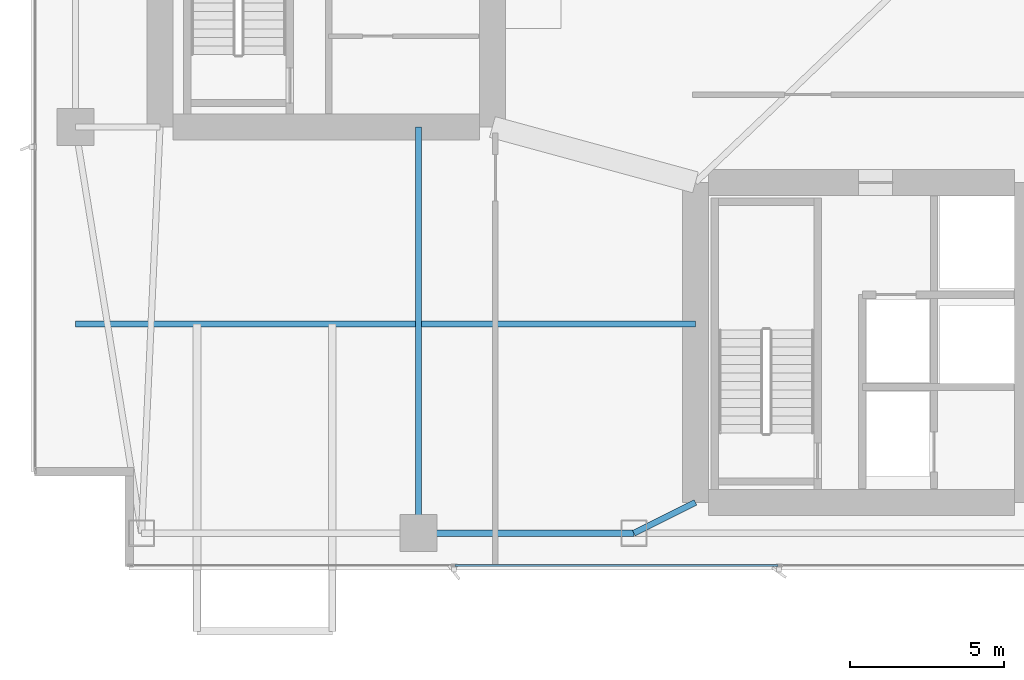
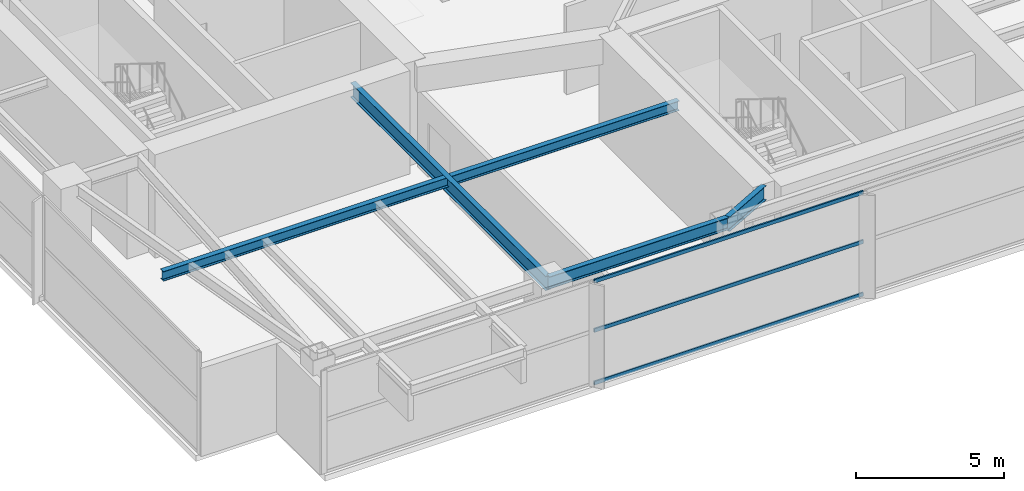
# One storey, part 4 of 26: 4 beams, 3 members, 1 element without a shape of its own.
"""IFC4 building model written with IfcOpenShell, lengths in metres."""

from ifc_helpers import new_model, si_unit, direction, frame, origin, origin_2d, place, context, subcontext, project, spatial, hollow_rectangle, i_section, extrude, material, layer, layer_set, material_profile, profile_set, type_object, element, aggregate, save


model = new_model("IFC4")

# Units and contexts
model_context = context("Model", 3, precision=1e-05, world=origin(), true_north=direction((0.0, 1.0)))
body_context = subcontext(model_context, "Body", "Model", "MODEL_VIEW")
ifc_project = project(units=[si_unit("LENGTHUNIT", "METRE"), si_unit("AREAUNIT", "SQUARE_METRE"), si_unit("VOLUMEUNIT", "CUBIC_METRE"), si_unit("PLANEANGLEUNIT", "RADIAN"), si_unit("MASSUNIT", "GRAM", prefix="KILO")], contexts=[model_context])

# Site, building, storey
site_placement = place(None, origin())
site = spatial("IfcSite", under=ifc_project, at=site_placement, CompositionType="ELEMENT")
building_placement = place(site_placement, origin())
building = spatial("IfcBuilding", under=site, at=building_placement, Name="Calvorn Quay Hotel", CompositionType="ELEMENT")
storey_placement = place(building_placement, frame((0.0, 0.0, 144.0)))
storey = spatial("IfcBuildingStorey", under=building, at=storey_placement, Name="L35", CompositionType="ELEMENT", Elevation=144.0)

# Beams
ifc_material_1 = material(Name="Steel Q355B", Category="steel")
ifc_material_profile_1 = material_profile(ifc_material_1, i_section(OverallWidth=0.199951171875, OverallDepth=0.60009765625, WebThickness=0.010986328125, FlangeThickness=0.01708984375, FilletRadius=0.01806640625, at=origin_2d()), Name="HN600x200x11x17")
ifc_profile_set_1 = profile_set([ifc_material_profile_1], Name="Steel Q355B")
beam_type_1 = type_object("IfcBeamType", Name="BM-GIRD-TYP", PredefinedType="BEAM", material=ifc_profile_set_1)
beam_1_placement = place(storey_placement, frame((12.60009765625, 3.60009765625, 3.93994140625), z_axis=(0.0, 1.0, 0.0), x_axis=(-1.0, 0.0, 0.0)))
element("IfcBeam", 1, at=beam_1_placement, inside=storey, type_object=beam_type_1, Name="Beam BG-L35-S1", PredefinedType="BEAM", context=body_context, shape_type="SweptSolid", body=[
    extrude(i_section(OverallWidth=0.199951171875, OverallDepth=0.60009765625, WebThickness=0.010986328125, FlangeThickness=0.01708984375, FilletRadius=0.01806640625, at=origin_2d()), origin(), (0.0, 0.0, 1.0), 13.199951171875),
])
beam_2_placement = place(storey_placement, frame((19.60009765625, 3.60009765625, 3.93994140625), z_axis=(0.894427191, 0.4472135955, 0.0), x_axis=(-0.4472135955, 0.894427191, 0.0)))
element("IfcBeam", 2, at=beam_2_placement, inside=storey, type_object=beam_type_1, Name="Beam BG-L35-S2", PredefinedType="BEAM", context=body_context, shape_type="SweptSolid", body=[
    extrude(i_section(OverallWidth=0.199951171875, OverallDepth=0.60009765625, WebThickness=0.010986328125, FlangeThickness=0.01708984375, FilletRadius=0.01806640625, at=origin_2d()), origin(), (0.0, 0.0, 1.0), 2.236083984375),
])
ifc_material_2 = material(Name="Steel Q355B", Category="steel")
ifc_material_profile_2 = material_profile(ifc_material_2, i_section(OverallWidth=0.199951171875, OverallDepth=0.39990234375, WebThickness=0.008056640625, FlangeThickness=0.012939453125, FilletRadius=0.01611328125, at=origin_2d()), Name="HN400x200x8x13")
ifc_profile_set_2 = profile_set([ifc_material_profile_2], Name="Steel Q355B")
beam_type_2 = type_object("IfcBeamType", Name="BM-JOIST-TYP", PredefinedType="JOIST", material=ifc_profile_set_2)
beam_3_placement = place(storey_placement, frame((1.449951171875, 10.39990234375, 4.0400390625), z_axis=(1.0, 0.0, 0.0), x_axis=(0.0, 1.0, 0.0)))
element("IfcBeam", 3, at=beam_3_placement, inside=storey, type_object=beam_type_2, Name="Beam BJ-L35-W1", PredefinedType="JOIST", context=body_context, shape_type="SweptSolid", body=[
    extrude(i_section(OverallWidth=0.199951171875, OverallDepth=0.39990234375, WebThickness=0.008056640625, FlangeThickness=0.012939453125, FilletRadius=0.01611328125, at=origin_2d()), origin(), (0.0, 0.0, 1.0), 20.150146484375),
])
ifc_material_3 = material(Name="Steel Q355B", Category="steel")
ifc_material_profile_3 = material_profile(ifc_material_3, i_section(OverallWidth=0.199951171875, OverallDepth=0.5, WebThickness=0.010009765625, FlangeThickness=0.01611328125, FilletRadius=0.01611328125, at=origin_2d()), Name="HN500x200x10x16")
ifc_profile_set_3 = profile_set([ifc_material_profile_3], Name="Steel Q355B")
beam_type_3 = type_object("IfcBeamType", Name="BM-SPANDREL-Z1", PredefinedType="SPANDREL", material=ifc_profile_set_3)
beam_4_placement = place(storey_placement, frame((12.60009765625, 3.60009765625, 3.989990234375), z_axis=(1.0, 0.0, 0.0), x_axis=(0.0, 1.0, 0.0)))
element("IfcBeam", 4, at=beam_4_placement, inside=storey, type_object=beam_type_3, Name="Beam BSP-L35-S2", PredefinedType="SPANDREL", context=body_context, shape_type="SweptSolid", body=[
    extrude(i_section(OverallWidth=0.199951171875, OverallDepth=0.5, WebThickness=0.010009765625, FlangeThickness=0.01611328125, FilletRadius=0.01611328125, at=origin_2d()), origin(), (0.0, 0.0, 1.0), 7.0),
])

# Curtain wall, members
ifc_material_4 = material(Name="Pale Anodised Aluminium and Low-E Glass", Category="aluminium")
ifc_layer = layer(ifc_material_4, 0.219970703125)
ifc_layer_set = layer_set([ifc_layer], Name="CW-SYS-Z2")
curtain_wall_type = type_object("IfcCurtainWallType", Name="CW-SYS-Z2", PredefinedType="NOTDEFINED", material=ifc_layer_set)
curtain_wall_placement = place(storey_placement, origin())
curtain_wall = element("IfcCurtainWall", 5, at=curtain_wall_placement, inside=storey, type_object=curtain_wall_type, Name="Tower South Waterfront Curtain Wall (L35)", PredefinedType="NOTDEFINED")
ifc_material_5 = material(Name="Pale Anodised Aluminium 6063-T6", Category="aluminium")
ifc_material_profile_4 = material_profile(ifc_material_5, hollow_rectangle(XDim=0.06005859375, YDim=0.14990234375, WallThickness=0.00341796875, at=origin_2d()), Name="ALU-T150x60x3.5")
ifc_profile_set_4 = profile_set([ifc_material_profile_4], Name="Pale Anodised Aluminium 6063-T6")
member_type = type_object("IfcMemberType", Name="CW-SYS-Z2-TRN", PredefinedType="USERDEFINED", material=ifc_profile_set_4)
member_1_placement = place(storey_placement, frame((13.7900390625, 2.550048828125, 0.030029296875), z_axis=(1.0, 0.0, 0.0), x_axis=(0.0, 1.0, 0.0)))
member_1 = element("IfcMember", 6, at=member_1_placement, type_object=member_type, Name="CW-L35-S transom 2.1", ObjectType="TRANSOM", PredefinedType="USERDEFINED", context=body_context, shape_type="SweptSolid", body=[
    extrude(hollow_rectangle(XDim=0.06005859375, YDim=0.14990234375, WallThickness=0.00341796875, at=origin_2d()), origin(), (0.0, 0.0, 1.0), 10.5),
])
member_2_placement = place(storey_placement, frame((13.7900390625, 2.550048828125, 2.199951171875), z_axis=(1.0, 0.0, 0.0), x_axis=(0.0, 1.0, 0.0)))
member_2 = element("IfcMember", 7, at=member_2_placement, type_object=member_type, Name="CW-L35-S transom 2.2", ObjectType="TRANSOM", PredefinedType="USERDEFINED", context=body_context, shape_type="SweptSolid", body=[
    extrude(hollow_rectangle(XDim=0.06005859375, YDim=0.14990234375, WallThickness=0.00341796875, at=origin_2d()), origin(), (0.0, 0.0, 1.0), 10.5),
])
member_3_placement = place(storey_placement, frame((13.7900390625, 2.550048828125, 4.22998046875), z_axis=(1.0, 0.0, 0.0), x_axis=(0.0, 1.0, 0.0)))
member_3 = element("IfcMember", 8, at=member_3_placement, type_object=member_type, Name="CW-L35-S transom 2.3", ObjectType="TRANSOM", PredefinedType="USERDEFINED", context=body_context, shape_type="SweptSolid", body=[
    extrude(hollow_rectangle(XDim=0.06005859375, YDim=0.14990234375, WallThickness=0.00341796875, at=origin_2d()), origin(), (0.0, 0.0, 1.0), 10.5),
])
aggregate(curtain_wall, [member_1, member_2, member_3])

save(model, "model.ifc")
